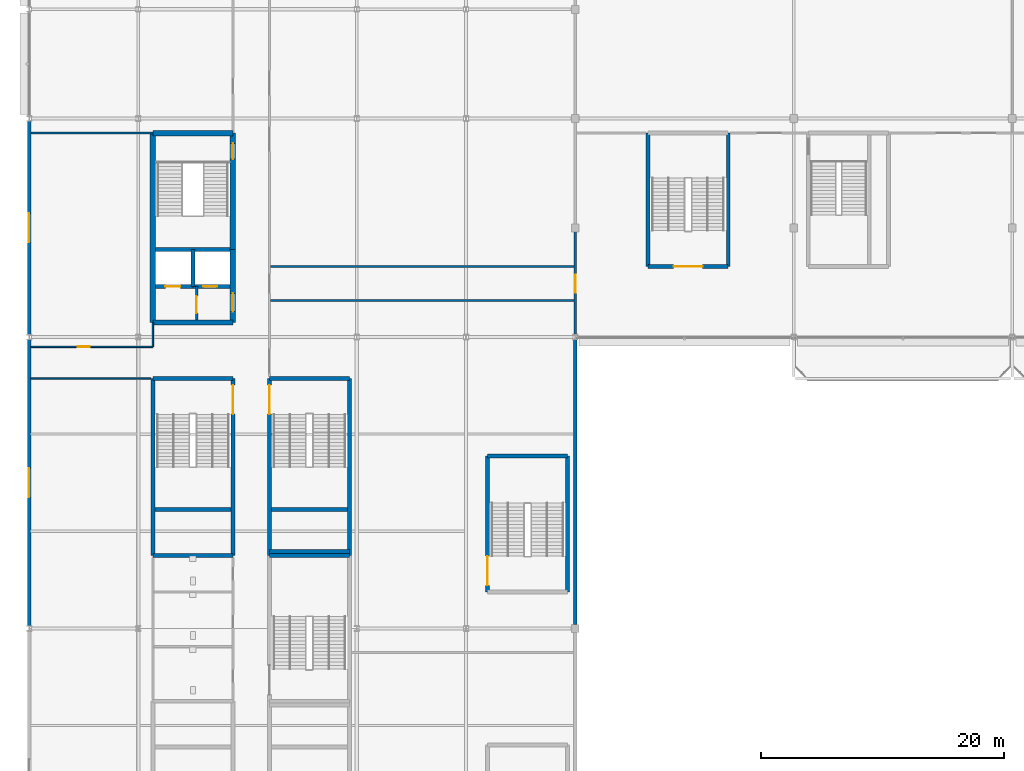
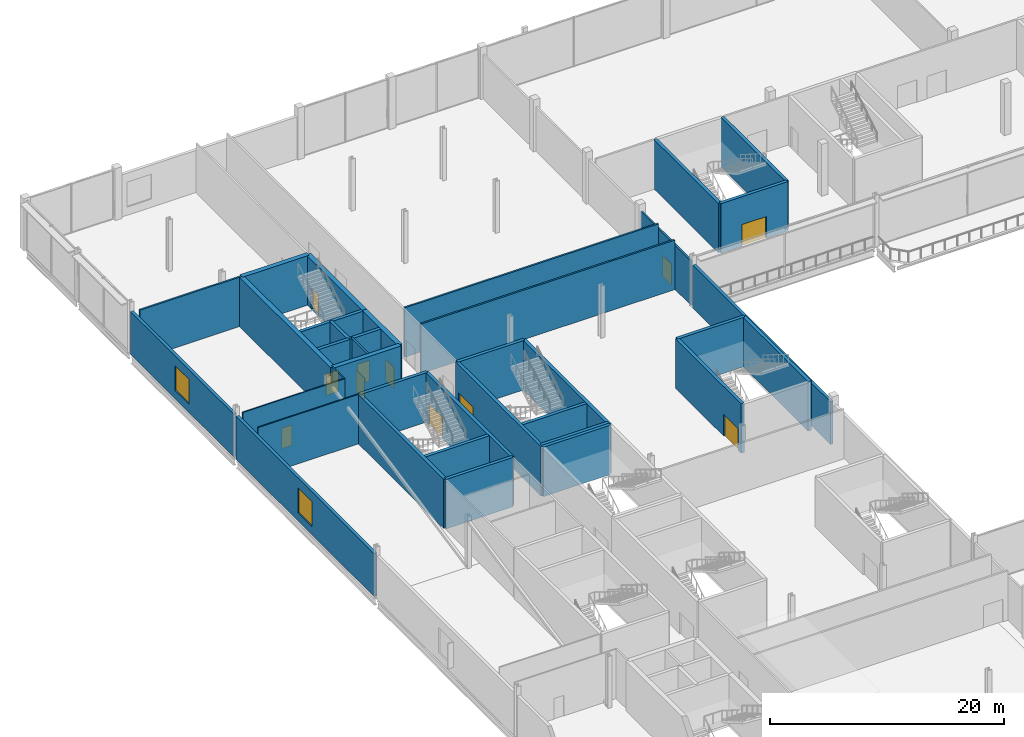
# One storey, part 66 of 113: 37 walls, 11 doors, 2 windows, 13 openings.
"""IFC4 building model written with IfcOpenShell, lengths in metres."""

import ifcopenshell
import ifcopenshell.guid

model = None  # the IFC model being written
_history = None  # IfcOwnerHistory: only IFC2X3 demands one
_inside = {}  # id of a spatial element -> (the spatial element, [elements in it])
_under = {}  # id of a project, library or spatial element -> (it, [spatial elements below it])
_declared = {}  # id of a project -> (the project, [libraries it declares])
_typed = {}  # id of a type object -> (the type object, [elements of that type])
_made_of = {}  # id of a material, layer set ... -> (it, [elements and type objects made of it])


def new_model(schema):
    """Start an empty IFC model of exactly this schema.

    Asked for "IFC4X3", IfcOpenShell would pick the latest addendum, in which some entities
    have other attributes; the version numbers below select the first issue.
    IFC2X3 requires an IfcOwnerHistory on every rooted entity: one is made here for all.
    """
    global model, _history
    if schema == "IFC4X3":
        model = ifcopenshell.file(schema_version=(4, 3, 0, 0))
    else:
        model = ifcopenshell.file(schema=schema)
    _inside.clear()
    _under.clear()
    _declared.clear()
    _typed.clear()
    _made_of.clear()
    _history = None
    if model.schema == "IFC2X3":
        org = make("IfcOrganization", Name="unknown")
        user = make(
            "IfcPersonAndOrganization",
            ThePerson=make("IfcPerson", FamilyName="unknown"),
            TheOrganization=org,
        )
        app = make(
            "IfcApplication",
            ApplicationDeveloper=org,
            Version="unknown",
            ApplicationFullName="unknown",
            ApplicationIdentifier="unknown",
        )
        _history = make(
            "IfcOwnerHistory",
            OwningUser=user,
            OwningApplication=app,
            ChangeAction="ADDED",
            CreationDate=0,
        )
    return model


def make(cls, **values):
    """One entity of the class cls with the attributes given. An attribute that is None is left unset."""
    return model.create_entity(
        cls, **{name: value for name, value in values.items() if value is not None}
    )


def rooted(cls, **values):
    """An entity with a GlobalId (a new one), such as an element, a storey or a relation."""
    return make(cls, GlobalId=ifcopenshell.guid.new(), OwnerHistory=_history, **values)


def si_unit(unit_type, name, prefix=None):
    """IfcSIUnit, for example si_unit("LENGTHUNIT", "METRE", prefix="MILLI")."""
    return make("IfcSIUnit", UnitType=unit_type, Prefix=prefix, Name=name)


def assignment(units):
    """IfcUnitAssignment: the units of a project."""
    return None if units is None else make("IfcUnitAssignment", Units=units)


def point(xyz):
    """IfcCartesianPoint."""
    return None if xyz is None else make("IfcCartesianPoint", Coordinates=xyz)


def direction(xyz):
    """IfcDirection."""
    return None if xyz is None else make("IfcDirection", DirectionRatios=xyz)


def frame(location, z_axis=None, x_axis=None):
    """IfcAxis2Placement3D, a coordinate frame: its origin and axes. An axis left out is left unset."""
    return make(
        "IfcAxis2Placement3D",
        Location=point(location),
        Axis=direction(z_axis),
        RefDirection=direction(x_axis),
    )


def frame_2d(location, x_axis=None):
    """IfcAxis2Placement2D, a coordinate frame in the plane: its origin and x axis."""
    return make(
        "IfcAxis2Placement2D", Location=point(location), RefDirection=direction(x_axis)
    )


def origin():
    """The frame at (0, 0, 0) with its axes left unset."""
    return frame((0.0, 0.0, 0.0))


def place(relative_to, where):
    """IfcLocalPlacement: puts the frame where relative to a parent placement (None: the world)."""
    return make(
        "IfcLocalPlacement", PlacementRelTo=relative_to, RelativePlacement=where
    )


def context(
    kind, dimensions, precision=None, world=None, true_north=None, identifier=None
):
    """IfcGeometricRepresentationContext, for example the 3D "Model" context."""
    return make(
        "IfcGeometricRepresentationContext",
        ContextIdentifier=identifier,
        ContextType=kind,
        CoordinateSpaceDimension=dimensions,
        Precision=precision,
        WorldCoordinateSystem=world,
        TrueNorth=true_north,
    )


def subcontext(parent, identifier, kind, view, scale=None):
    """IfcGeometricRepresentationSubContext, for example "Body" below "Model"."""
    return make(
        "IfcGeometricRepresentationSubContext",
        ContextIdentifier=identifier,
        ContextType=kind,
        ParentContext=parent,
        TargetScale=scale,
        TargetView=view,
    )


def project(units=None, contexts=None):
    """IfcProject with its units and contexts."""
    return rooted(
        "IfcProject",
        Name="project",
        RepresentationContexts=contexts,
        UnitsInContext=assignment(units),
    )


def spatial(cls, under=None, at=None, **own):
    """A site, building, storey or space (cls), placed at a placement, below another one or the project."""
    s = rooted(cls, ObjectPlacement=at, **own)
    if under is not None:
        _under.setdefault(under.id(), (under, []))[1].append(s)
    return s


def profile(cls, at=None, kind="AREA", **sizes):
    """A parametric profile (cls). Its sizes go by their IFC names, for example OverallWidth=200.0."""
    return make(cls, ProfileType=kind, Position=at, **sizes)


def rectangle(**sizes):
    """IfcRectangleProfileDef."""
    return profile("IfcRectangleProfileDef", **sizes)


def extrude(swept, where, along, depth):
    """IfcExtrudedAreaSolid: the profile swept, set in the frame where, extruded along a direction by depth."""
    return make(
        "IfcExtrudedAreaSolid",
        SweptArea=swept,
        Position=where,
        ExtrudedDirection=direction(along),
        Depth=depth,
    )


def shape(context_of_items, identifier, shape_type, items):
    """IfcShapeRepresentation: the items that make up one representation, for example the "Body"."""
    return make(
        "IfcShapeRepresentation",
        ContextOfItems=context_of_items,
        RepresentationIdentifier=identifier,
        RepresentationType=shape_type,
        Items=items,
    )


def material(Name=None, Category=None):
    """IfcMaterial."""
    return make("IfcMaterial", Name=Name, Category=Category)


def layer(
    of_material, thickness, ventilated=None, Name=None, Category=None, Priority=None
):
    """IfcMaterialLayer: one layer of a wall or slab, of a material (None: an air gap)."""
    return make(
        "IfcMaterialLayer",
        Material=of_material,
        LayerThickness=thickness,
        IsVentilated=ventilated,
        Name=Name,
        Category=Category,
        Priority=Priority,
    )


def layer_set(layers, Name=None):
    """IfcMaterialLayerSet."""
    return make("IfcMaterialLayerSet", MaterialLayers=layers, LayerSetName=Name)


def made_of(thing, what):
    """Note that an element or type object is made of a material, layer set ...; save() writes the relation."""
    if what is not None:
        _made_of.setdefault(what.id(), (what, []))[1].append(thing)
    return thing


def type_object(cls, material=None, **own):
    """A type object (cls), such as IfcWallType, which elements share."""
    return made_of(rooted(cls, **own), material)


def element(
    cls,
    number,
    at=None,
    inside=None,
    cuts=None,
    type_object=None,
    material=None,
    context=None,
    identifier="Body",
    shape_type=None,
    held_by="IfcProductDefinitionShape",
    body=None,
    shapes=None,
    **own,
):
    """One element of the class cls, such as IfcWall. Its Tag is "e" and its number.

    at: its placement. inside: the storey or other place that contains it. cuts: it is an
    opening in that element (IfcRelVoidsElement). A single representation is given by context,
    identifier, shape_type and body (its items); several are given by shapes. held_by: the class
    of the entity that holds the representations. save() writes the other relations.
    """
    e = rooted(cls, Tag="e%d" % number, ObjectPlacement=at, **own)
    if body is not None:
        shapes = [shape(context, identifier, shape_type, body)]
    if shapes is not None:
        e.Representation = make(held_by, Representations=shapes)
    if inside is not None:
        _inside.setdefault(inside.id(), (inside, []))[1].append(e)
    if cuts is not None:
        rooted(
            "IfcRelVoidsElement", RelatingBuildingElement=cuts, RelatedOpeningElement=e
        )
    if type_object is not None:
        _typed.setdefault(type_object.id(), (type_object, []))[1].append(e)
    return made_of(e, material)


def fill(opening, filler):
    """IfcRelFillsElement: the door or window that sits in an opening."""
    return rooted(
        "IfcRelFillsElement",
        RelatingOpeningElement=opening,
        RelatedBuildingElement=filler,
    )


def aggregate(whole, parts):
    """IfcRelAggregates: a whole, such as a stair, and the parts it consists of."""
    return rooted("IfcRelAggregates", RelatingObject=whole, RelatedObjects=parts)


def save(model, path):
    """Write the relations noted so far, then the file.

    IfcRelAggregates (storeys below a building ...), IfcRelContainedInSpatialStructure (elements
    in a storey), IfcRelDefinesByType, IfcRelAssociatesMaterial and IfcRelDeclares: one each for
    every whole, place, type object, material and project.
    """
    for whole, parts in _under.values():
        aggregate(whole, parts)
    for where, things in _inside.values():
        rooted(
            "IfcRelContainedInSpatialStructure",
            RelatedElements=things,
            RelatingStructure=where,
        )
    for kind, things in _typed.values():
        rooted("IfcRelDefinesByType", RelatedObjects=things, RelatingType=kind)
    for what, things in _made_of.values():
        rooted("IfcRelAssociatesMaterial", RelatedObjects=things, RelatingMaterial=what)
    for by, libraries in _declared.values():
        rooted("IfcRelDeclares", RelatingContext=by, RelatedDefinitions=libraries)
    model.write(path)


model = new_model("IFC4")

# Units and contexts
model_context = context("Model", 3, precision=1e-05, world=origin(), true_north=direction((0.0, 1.0)))
body_context = subcontext(model_context, "Body", "Model", "MODEL_VIEW")
ifc_project = project(units=[si_unit("LENGTHUNIT", "METRE"), si_unit("AREAUNIT", "SQUARE_METRE"), si_unit("VOLUMEUNIT", "CUBIC_METRE"), si_unit("PLANEANGLEUNIT", "RADIAN"), si_unit("MASSUNIT", "GRAM", prefix="KILO")], contexts=[model_context])

# Site, building, storey
site_placement = place(None, origin())
site = spatial("IfcSite", under=ifc_project, at=site_placement, CompositionType="ELEMENT")
building_placement = place(site_placement, origin())
building = spatial("IfcBuilding", under=site, at=building_placement, Name="Kisiwana Market Hall", CompositionType="ELEMENT")
storey_placement = place(building_placement, frame((0.0, 0.0, 6.0)))
storey = spatial("IfcBuildingStorey", under=building, at=storey_placement, Name="L01", CompositionType="ELEMENT", Elevation=6.0)

# Wall, opening, door
ifc_material_1 = material(Name="Masonry blockwork", Category="masonry")
ifc_layer_1 = layer(ifc_material_1, 0.199951171875, Name="Plastered fire compartment block wall")
ifc_layer_set_1 = layer_set([ifc_layer_1], Name="WL-COMP-200")
wall_type_1 = type_object("IfcWallType", Name="WL-COMP-200", PredefinedType="PARTITIONING", material=ifc_layer_set_1)
wall_1_placement = place(storey_placement, frame((13.800048828125, 85.425048828125, 0.0), z_axis=(0.0, 0.0, 1.0), x_axis=(0.0, 1.0, 0.0)))
wall_1 = element("IfcWall", 1, at=wall_1_placement, inside=storey, type_object=wall_type_1, Name="Core W1 firefighting lobby wall W-0843", PredefinedType="PARTITIONING", context=body_context, shape_type="SweptSolid", body=[
    extrude(rectangle(XDim=2.72998046875, YDim=0.199951171875, at=frame_2d((1.364990234375, 0.0))), origin(), (0.0, 0.0, 1.0), 5.14990234375),
])
opening_1_placement = place(wall_1_placement, frame((0.550048828125, 0.0, 0.0)))
opening_1 = element("IfcOpeningElement", 2, at=opening_1_placement, cuts=wall_1, Name="Opening DR-L01-006", PredefinedType="OPENING", context=body_context, shape_type="SweptSolid", body=[
    extrude(rectangle(XDim=1.39990234375, YDim=2.25, at=frame_2d((0.699951171875, 1.125))), frame((0.0, 0.11181640625, 0.0), z_axis=(0.0, -1.0, 0.0), x_axis=(1.0, 0.0, 0.0)), (0.0, 0.0, 1.0), 0.223876953125),
])
ifc_material_2 = material(Name="Steel S275", Category="steel")
door_type_1 = type_object("IfcDoorType", Name="DR-FFLOB-FD120-1400", OperationType="DOUBLE_DOOR_SINGLE_SWING", PredefinedType="DOOR", material=ifc_material_2)
door_1_placement = place(opening_1_placement, frame((1.39990234375, 0.0, 0.0), z_axis=(0.0, 0.0, 1.0), x_axis=(-1.0, 0.0, 0.0)))
door_1 = element("IfcDoor", 3, at=door_1_placement, inside=storey, type_object=door_type_1, Name="Firefighting Lift Lobby W1 Door (L01)", OperationType="DOUBLE_DOOR_SINGLE_SWING", OverallHeight=2.25, OverallWidth=1.39990234375, PredefinedType="DOOR", context=body_context, shape_type="SweptSolid", body=[
    extrude(rectangle(XDim=1.39990234375, YDim=2.25, at=frame_2d((0.699951171875, 1.125))), frame((0.0, 0.02490234375, 0.0), z_axis=(0.0, -1.0, 0.0), x_axis=(1.0, 0.0, 0.0)), (0.0, 0.0, 1.0), 0.050048828125),
])
fill(opening_1, door_1)

# Walls
ifc_material_3 = material(Name="Concrete C40/50", Category="concrete")
ifc_layer_2 = layer(ifc_material_3, 0.320068359375, Name="Reinforced concrete shaft wall")
ifc_layer_set_2 = layer_set([ifc_layer_2], Name="WL-CORE-320")
wall_type_2 = type_object("IfcWallType", Name="WL-CORE-320", PredefinedType="SHEAR", material=ifc_layer_set_2)
wall_2_placement = place(storey_placement, frame((10.425048828125, 91.215087890625, 0.0), z_axis=(0.0, 0.0, 1.0), x_axis=(1.0, 0.0, 0.0)))
element("IfcWall", 4, at=wall_2_placement, inside=storey, type_object=wall_type_2, Name="Core W1 shaft back shear wall W-0686", PredefinedType="SHEAR", context=body_context, shape_type="SweptSolid", body=[
    extrude(rectangle(XDim=6.14990234375, YDim=0.320068359375, at=frame_2d((3.074951171875, 0.0))), origin(), (0.0, 0.0, 1.0), 5.14990234375),
])
wall_3_placement = place(storey_placement, frame((13.5, 88.155029296875, 0.0), z_axis=(0.0, 0.0, 1.0), x_axis=(0.0, 1.0, 0.0)))
element("IfcWall", 5, at=wall_3_placement, inside=storey, type_object=wall_type_2, Name="Core W1 inter-shaft shear wall W-0687", PredefinedType="SHEAR", context=body_context, shape_type="SweptSolid", body=[
    extrude(rectangle(XDim=3.06005859375, YDim=0.320068359375, at=frame_2d((1.530029296875, 0.0))), origin(), (0.0, 0.0, 1.0), 5.14990234375),
])

# Wall, opening, door
wall_4_placement = place(storey_placement, frame((10.425048828125, 88.155029296875, 0.0), z_axis=(0.0, 0.0, 1.0), x_axis=(1.0, 0.0, 0.0)))
wall_4 = element("IfcWall", 6, at=wall_4_placement, inside=storey, type_object=wall_type_2, Name="Core W1 west lift front wall W-0688", PredefinedType="SHEAR", context=body_context, shape_type="SweptSolid", body=[
    extrude(rectangle(XDim=3.074951171875, YDim=0.320068359375, at=frame_2d((1.53759765625, 0.0))), origin(), (0.0, 0.0, 1.0), 5.14990234375),
])
opening_2_placement = place(wall_4_placement, frame((0.800048828125, 0.0, 0.0)))
opening_2 = element("IfcOpeningElement", 7, at=opening_2_placement, cuts=wall_4, Name="Opening LD-L01-003", PredefinedType="OPENING", context=body_context, shape_type="SweptSolid", body=[
    extrude(rectangle(XDim=1.25, YDim=2.25, at=frame_2d((0.625, 1.125))), frame((0.0, 0.171875, 0.0), z_axis=(0.0, -1.0, 0.0), x_axis=(1.0, 0.0, 0.0)), (0.0, 0.0, 1.0), 0.343994140625),
])
ifc_material_4 = material(Name="Steel S275", Category="steel")
door_type_2 = type_object("IfcDoorType", Name="DR-LIFT-FFL-1250", OperationType="DOUBLE_DOOR_SLIDING", PredefinedType="DOOR", material=ifc_material_4)
door_2_placement = place(opening_2_placement, origin())
door_2 = element("IfcDoor", 8, at=door_2_placement, inside=storey, type_object=door_type_2, Name="Lift Landing Door FFL-02 (L01)", OperationType="DOUBLE_DOOR_SLIDING", OverallHeight=2.25, OverallWidth=1.25, PredefinedType="DOOR", context=body_context, shape_type="SweptSolid", body=[
    extrude(rectangle(XDim=1.25, YDim=2.25, at=frame_2d((0.625, 1.125))), frame((0.0, 0.02490234375, 0.0), z_axis=(0.0, -1.0, 0.0), x_axis=(1.0, 0.0, 0.0)), (0.0, 0.0, 1.0), 0.050048828125),
])
fill(opening_2, door_2)

wall_5_placement = place(storey_placement, frame((13.5, 88.155029296875, 0.0), z_axis=(0.0, 0.0, 1.0), x_axis=(1.0, 0.0, 0.0)))
wall_5 = element("IfcWall", 9, at=wall_5_placement, inside=storey, type_object=wall_type_2, Name="Core W1 east lift front wall W-0689", PredefinedType="SHEAR", context=body_context, shape_type="SweptSolid", body=[
    extrude(rectangle(XDim=3.074951171875, YDim=0.320068359375, at=frame_2d((1.53759765625, 0.0))), origin(), (0.0, 0.0, 1.0), 5.14990234375),
])
opening_3_placement = place(wall_5_placement, frame((0.85009765625, 0.0, 0.0)))
opening_3 = element("IfcOpeningElement", 10, at=opening_3_placement, cuts=wall_5, Name="Opening LD-L01-004", PredefinedType="OPENING", context=body_context, shape_type="SweptSolid", body=[
    extrude(rectangle(XDim=1.14990234375, YDim=2.199951171875, at=frame_2d((0.574951171875, 1.10009765625))), frame((0.0, 0.171875, 0.0), z_axis=(0.0, -1.0, 0.0), x_axis=(1.0, 0.0, 0.0)), (0.0, 0.0, 1.0), 0.343994140625),
])
ifc_material_5 = material(Name="Steel S275", Category="steel")
door_type_3 = type_object("IfcDoorType", Name="DR-LIFT-PAX-1150", OperationType="DOUBLE_DOOR_SLIDING", PredefinedType="DOOR", material=ifc_material_5)
door_3_placement = place(opening_3_placement, origin())
door_3 = element("IfcDoor", 11, at=door_3_placement, inside=storey, type_object=door_type_3, Name="Lift Landing Door LP-02 (L01)", OperationType="DOUBLE_DOOR_SLIDING", OverallHeight=2.199951171875, OverallWidth=1.14990234375, PredefinedType="DOOR", context=body_context, shape_type="SweptSolid", body=[
    extrude(rectangle(XDim=1.14990234375, YDim=2.199951171875, at=frame_2d((0.574951171875, 1.10009765625))), frame((0.0, 0.02490234375, 0.0), z_axis=(0.0, -1.0, 0.0), x_axis=(1.0, 0.0, 0.0)), (0.0, 0.0, 1.0), 0.050048828125),
])
fill(opening_3, door_3)

# Walls
for number, where, z_axis, x_axis, name in (
    (12, (10.199951171875, 66.0, 0.0), (0.0, 0.0, 1.0), (1.0, 0.0, 0.0), "Core W4 south shear wall W-0735"),
    (13, (10.199951171875, 80.60009765625, 0.0), (0.0, 0.0, 1.0), (1.0, 0.0, 0.0), "Core W4 north shear wall W-0736"),
):
    element("IfcWall", number, at=place(storey_placement, frame(where, z_axis=z_axis, x_axis=x_axis)), inside=storey, type_object=wall_type_2, Name=name, PredefinedType="SHEAR", context=body_context, shape_type="SweptSolid", body=[
        extrude(rectangle(XDim=6.60009765625, YDim=0.320068359375, at=frame_2d((3.300048828125, 0.0))), origin(), (0.0, 0.0, 1.0), 5.14990234375),
    ])
wall_6_placement = place(storey_placement, frame((10.199951171875, 66.0, 0.0), z_axis=(0.0, 0.0, 1.0), x_axis=(0.0, 1.0, 0.0)))
element("IfcWall", 14, at=wall_6_placement, inside=storey, type_object=wall_type_2, Name="Core W4 outer shear wall W-0737", PredefinedType="SHEAR", context=body_context, shape_type="SweptSolid", body=[
    extrude(rectangle(XDim=14.60009765625, YDim=0.320068359375, at=frame_2d((7.300048828125, 0.0))), origin(), (0.0, 0.0, 1.0), 5.14990234375),
])

# Wall, opening, door
wall_7_placement = place(storey_placement, frame((16.800048828125, 66.0, 0.0), z_axis=(0.0, 0.0, 1.0), x_axis=(0.0, 1.0, 0.0)))
wall_7 = element("IfcWall", 15, at=wall_7_placement, inside=storey, type_object=wall_type_2, Name="Core W4 corridor shear wall W-0738", PredefinedType="SHEAR", context=body_context, shape_type="SweptSolid", body=[
    extrude(rectangle(XDim=14.60009765625, YDim=0.320068359375, at=frame_2d((7.300048828125, 0.0))), origin(), (0.0, 0.0, 1.0), 5.14990234375),
])
opening_4_placement = place(wall_7_placement, frame((11.64990234375, 0.0, 0.0)))
opening_4 = element("IfcOpeningElement", 16, at=opening_4_placement, cuts=wall_7, Name="Opening DR-L01-020", PredefinedType="OPENING", context=body_context, shape_type="SweptSolid", body=[
    extrude(rectangle(XDim=2.39990234375, YDim=2.25, at=frame_2d((1.199951171875, 1.125))), frame((0.0, 0.171875, 0.0), z_axis=(0.0, -1.0, 0.0), x_axis=(1.0, 0.0, 0.0)), (0.0, 0.0, 1.0), 0.343994140625),
])
ifc_material_6 = material(Name="Steel S275", Category="steel")
door_type_4 = type_object("IfcDoorType", Name="DR-STAIR-FD120-2400", OperationType="DOUBLE_DOOR_SINGLE_SWING", PredefinedType="DOOR", material=ifc_material_6)
door_4_placement = place(opening_4_placement, origin())
door_4 = element("IfcDoor", 17, at=door_4_placement, inside=storey, type_object=door_type_4, Name="Escape Stair W4 Fire Door (L01)", OperationType="DOUBLE_DOOR_SINGLE_SWING", OverallHeight=2.25, OverallWidth=2.39990234375, PredefinedType="DOOR", context=body_context, shape_type="SweptSolid", body=[
    extrude(rectangle(XDim=2.39990234375, YDim=2.25, at=frame_2d((1.199951171875, 1.125))), frame((0.0, 0.02490234375, 0.0), z_axis=(0.0, -1.0, 0.0), x_axis=(1.0, 0.0, 0.0)), (0.0, 0.0, 1.0), 0.050048828125),
])
fill(opening_4, door_4)

# Walls
wall_8_placement = place(storey_placement, frame((10.360107421875, 69.780029296875, 0.0), z_axis=(0.0, 0.0, 1.0), x_axis=(1.0, 0.0, 0.0)))
element("IfcWall", 18, at=wall_8_placement, inside=storey, type_object=wall_type_2, Name="Core W4 riser divider shear wall W-0739", PredefinedType="SHEAR", context=body_context, shape_type="SweptSolid", body=[
    extrude(rectangle(XDim=6.27978515625, YDim=0.320068359375, at=frame_2d((3.139892578125, 0.0))), origin(), (0.0, 0.0, 1.0), 5.14990234375),
])
for number, where, z_axis, x_axis, name in (
    (19, (19.800048828125, 66.0, 0.0), (0.0, 0.0, 1.0), (1.0, 0.0, 0.0), "Core W8 south shear wall W-0760"),
    (20, (19.800048828125, 80.60009765625, 0.0), (0.0, 0.0, 1.0), (1.0, 0.0, 0.0), "Core W8 north shear wall W-0761"),
):
    element("IfcWall", number, at=place(storey_placement, frame(where, z_axis=z_axis, x_axis=x_axis)), inside=storey, type_object=wall_type_2, Name=name, PredefinedType="SHEAR", context=body_context, shape_type="SweptSolid", body=[
        extrude(rectangle(XDim=6.599853515625, YDim=0.320068359375, at=frame_2d((3.2998046875, 0.0))), origin(), (0.0, 0.0, 1.0), 5.14990234375),
    ])

# Wall, opening, door
wall_9_placement = place(storey_placement, frame((19.800048828125, 66.0, 0.0), z_axis=(0.0, 0.0, 1.0), x_axis=(0.0, 1.0, 0.0)))
wall_9 = element("IfcWall", 21, at=wall_9_placement, inside=storey, type_object=wall_type_2, Name="Core W8 corridor shear wall W-0762", PredefinedType="SHEAR", context=body_context, shape_type="SweptSolid", body=[
    extrude(rectangle(XDim=14.60009765625, YDim=0.320068359375, at=frame_2d((7.300048828125, 0.0))), origin(), (0.0, 0.0, 1.0), 5.14990234375),
])
opening_5_placement = place(wall_9_placement, frame((11.64990234375, 0.0, 0.0)))
opening_5 = element("IfcOpeningElement", 22, at=opening_5_placement, cuts=wall_9, Name="Opening DR-L01-025", PredefinedType="OPENING", context=body_context, shape_type="SweptSolid", body=[
    extrude(rectangle(XDim=2.39990234375, YDim=2.25, at=frame_2d((1.199951171875, 1.125))), frame((0.0, 0.171875, 0.0), z_axis=(0.0, -1.0, 0.0), x_axis=(1.0, 0.0, 0.0)), (0.0, 0.0, 1.0), 0.343994140625),
])
door_5_placement = place(opening_5_placement, frame((2.39990234375, 0.0, 0.0), z_axis=(0.0, 0.0, 1.0), x_axis=(-1.0, 0.0, 0.0)))
door_5 = element("IfcDoor", 23, at=door_5_placement, inside=storey, type_object=door_type_4, Name="Escape Stair W8 Fire Door (L01)", OperationType="DOUBLE_DOOR_SINGLE_SWING", OverallHeight=2.25, OverallWidth=2.39990234375, PredefinedType="DOOR", context=body_context, shape_type="SweptSolid", body=[
    extrude(rectangle(XDim=2.39990234375, YDim=2.25, at=frame_2d((1.199951171875, 1.125))), frame((0.0, 0.02490234375, 0.0), z_axis=(0.0, -1.0, 0.0), x_axis=(1.0, 0.0, 0.0)), (0.0, 0.0, 1.0), 0.050048828125),
])
fill(opening_5, door_5)

# Walls
wall_10_placement = place(storey_placement, frame((26.39990234375, 66.0, 0.0), z_axis=(0.0, 0.0, 1.0), x_axis=(0.0, 1.0, 0.0)))
element("IfcWall", 24, at=wall_10_placement, inside=storey, type_object=wall_type_2, Name="Core W8 outer shear wall W-0763", PredefinedType="SHEAR", context=body_context, shape_type="SweptSolid", body=[
    extrude(rectangle(XDim=14.60009765625, YDim=0.320068359375, at=frame_2d((7.300048828125, 0.0))), origin(), (0.0, 0.0, 1.0), 5.14990234375),
])
wall_11_placement = place(storey_placement, frame((19.9599609375, 69.780029296875, 0.0), z_axis=(0.0, 0.0, 1.0), x_axis=(1.0, 0.0, 0.0)))
element("IfcWall", 25, at=wall_11_placement, inside=storey, type_object=wall_type_2, Name="Core W8 riser divider shear wall W-0764", PredefinedType="SHEAR", context=body_context, shape_type="SweptSolid", body=[
    extrude(rectangle(XDim=6.280029296875, YDim=0.320068359375, at=frame_2d((3.14013671875, 0.0))), origin(), (0.0, 0.0, 1.0), 5.14990234375),
])
wall_12_placement = place(storey_placement, frame((37.77001953125, 74.199951171875, 0.0), z_axis=(0.0, 0.0, 1.0), x_axis=(1.0, 0.0, 0.0)))
element("IfcWall", 26, at=wall_12_placement, inside=storey, type_object=wall_type_2, Name="Core W10 north shear wall W-0779", PredefinedType="SHEAR", context=body_context, shape_type="SweptSolid", body=[
    extrude(rectangle(XDim=6.60009765625, YDim=0.320068359375, at=frame_2d((3.300048828125, 0.0))), origin(), (0.0, 0.0, 1.0), 5.14990234375),
])

# Wall, opening, door
wall_13_placement = place(storey_placement, frame((37.77001953125, 63.0, 0.0), z_axis=(0.0, 0.0, 1.0), x_axis=(0.0, 1.0, 0.0)))
wall_13 = element("IfcWall", 27, at=wall_13_placement, inside=storey, type_object=wall_type_2, Name="Core W10 corridor shear wall W-0780", PredefinedType="SHEAR", context=body_context, shape_type="SweptSolid", body=[
    extrude(rectangle(XDim=11.199951171875, YDim=0.320068359375, at=frame_2d((5.60009765625, 0.0))), origin(), (0.0, 0.0, 1.0), 5.14990234375),
])
opening_6_placement = place(wall_13_placement, frame((0.550048828125, 0.0, 0.0)))
opening_6 = element("IfcOpeningElement", 28, at=opening_6_placement, cuts=wall_13, Name="Opening DR-L01-029", PredefinedType="OPENING", context=body_context, shape_type="SweptSolid", body=[
    extrude(rectangle(XDim=2.39990234375, YDim=2.25, at=frame_2d((1.199951171875, 1.125))), frame((0.0, 0.171875, 0.0), z_axis=(0.0, -1.0, 0.0), x_axis=(1.0, 0.0, 0.0)), (0.0, 0.0, 1.0), 0.343994140625),
])
door_6_placement = place(opening_6_placement, frame((2.39990234375, 0.0, 0.0), z_axis=(0.0, 0.0, 1.0), x_axis=(-1.0, 0.0, 0.0)))
door_6 = element("IfcDoor", 29, at=door_6_placement, inside=storey, type_object=door_type_4, Name="Escape Stair W10 Fire Door (L01)", OperationType="DOUBLE_DOOR_SINGLE_SWING", OverallHeight=2.25, OverallWidth=2.39990234375, PredefinedType="DOOR", context=body_context, shape_type="SweptSolid", body=[
    extrude(rectangle(XDim=2.39990234375, YDim=2.25, at=frame_2d((1.199951171875, 1.125))), frame((0.0, 0.02490234375, 0.0), z_axis=(0.0, -1.0, 0.0), x_axis=(1.0, 0.0, 0.0)), (0.0, 0.0, 1.0), 0.050048828125),
])
fill(opening_6, door_6)

# Walls
wall_14_placement = place(storey_placement, frame((44.3701171875, 63.0, 0.0), z_axis=(0.0, 0.0, 1.0), x_axis=(0.0, 1.0, 0.0)))
element("IfcWall", 30, at=wall_14_placement, inside=storey, type_object=wall_type_2, Name="Core W10 outer shear wall W-0781", PredefinedType="SHEAR", context=body_context, shape_type="SweptSolid", body=[
    extrude(rectangle(XDim=11.199951171875, YDim=0.320068359375, at=frame_2d((5.60009765625, 0.0))), origin(), (0.0, 0.0, 1.0), 5.14990234375),
])
wall_15_placement = place(storey_placement, frame((19.800048828125, 66.320068359375, 0.0), z_axis=(0.0, 0.0, 1.0), x_axis=(1.0, 0.0, 0.0)))
element("IfcWall", 31, at=wall_15_placement, inside=storey, type_object=wall_type_2, Name="Core W5 north shear wall W-0787", PredefinedType="SHEAR", context=body_context, shape_type="SweptSolid", body=[
    extrude(rectangle(XDim=6.599853515625, YDim=0.320068359375, at=frame_2d((3.2998046875, 0.0))), origin(), (0.0, 0.0, 1.0), 5.14990234375),
])

# Wall, opening, door
wall_16_placement = place(storey_placement, frame((51.0, 89.800048828125, 0.0), z_axis=(0.0, 0.0, 1.0), x_axis=(1.0, 0.0, 0.0)))
wall_16 = element("IfcWall", 32, at=wall_16_placement, inside=storey, type_object=wall_type_2, Name="Core N3 corridor shear wall W-0798", PredefinedType="SHEAR", context=body_context, shape_type="SweptSolid", body=[
    extrude(rectangle(XDim=6.60009765625, YDim=0.320068359375, at=frame_2d((3.300048828125, 0.0))), origin(), (0.0, 0.0, 1.0), 5.14990234375),
])
opening_7_placement = place(wall_16_placement, frame((2.10009765625, 0.0, 0.0)))
opening_7 = element("IfcOpeningElement", 33, at=opening_7_placement, cuts=wall_16, Name="Opening DR-L01-034", PredefinedType="OPENING", context=body_context, shape_type="SweptSolid", body=[
    extrude(rectangle(XDim=2.39990234375, YDim=2.25, at=frame_2d((1.199951171875, 1.125))), frame((0.0, 0.171875, 0.0), z_axis=(0.0, -1.0, 0.0), x_axis=(1.0, 0.0, 0.0)), (0.0, 0.0, 1.0), 0.343994140625),
])
door_7_placement = place(opening_7_placement, origin())
door_7 = element("IfcDoor", 34, at=door_7_placement, inside=storey, type_object=door_type_4, Name="Escape Stair N3 Fire Door (L01)", OperationType="DOUBLE_DOOR_SINGLE_SWING", OverallHeight=2.25, OverallWidth=2.39990234375, PredefinedType="DOOR", context=body_context, shape_type="SweptSolid", body=[
    extrude(rectangle(XDim=2.39990234375, YDim=2.25, at=frame_2d((1.199951171875, 1.125))), frame((0.0, 0.02490234375, 0.0), z_axis=(0.0, -1.0, 0.0), x_axis=(1.0, 0.0, 0.0)), (0.0, 0.0, 1.0), 0.050048828125),
])
fill(opening_7, door_7)

# Walls
for number, where, z_axis, x_axis, name in (
    (35, (51.0, 89.800048828125, 0.0), (0.0, 0.0, 1.0), (0.0, 1.0, 0.0), "Core N3 west shear wall W-0800"),
    (36, (57.60009765625, 89.800048828125, 0.0), (0.0, 0.0, 1.0), (0.0, 1.0, 0.0), "Core N3 east shear wall W-0801"),
):
    element("IfcWall", number, at=place(storey_placement, frame(where, z_axis=z_axis, x_axis=x_axis)), inside=storey, type_object=wall_type_2, Name=name, PredefinedType="SHEAR", context=body_context, shape_type="SweptSolid", body=[
        extrude(rectangle(XDim=11.0, YDim=0.320068359375, at=frame_2d((5.5, 0.0))), origin(), (0.0, 0.0, 1.0), 5.14990234375),
    ])
ifc_material_7 = material(Name="Concrete C40/50", Category="concrete")
ifc_layer_3 = layer(ifc_material_7, 0.449951171875, Name="Reinforced concrete core wall")
ifc_layer_set_3 = layer_set([ifc_layer_3], Name="WL-CORE-450")
wall_type_3 = type_object("IfcWallType", Name="WL-CORE-450", PredefinedType="SHEAR", material=ifc_layer_set_3)
for number, where, z_axis, x_axis, name in (
    (37, (10.199951171875, 85.199951171875, 0.0), (0.0, 0.0, 1.0), (1.0, 0.0, 0.0), "Core W1 south shear wall W-0681"),
    (38, (10.199951171875, 100.800048828125, 0.0), (0.0, 0.0, 1.0), (1.0, 0.0, 0.0), "Core W1 north shear wall W-0682"),
):
    element("IfcWall", number, at=place(storey_placement, frame(where, z_axis=z_axis, x_axis=x_axis)), inside=storey, type_object=wall_type_3, Name=name, PredefinedType="SHEAR", context=body_context, shape_type="SweptSolid", body=[
        extrude(rectangle(XDim=6.60009765625, YDim=0.449951171875, at=frame_2d((3.300048828125, 0.0))), origin(), (0.0, 0.0, 1.0), 5.14990234375),
    ])
wall_17_placement = place(storey_placement, frame((10.199951171875, 85.199951171875, 0.0), z_axis=(0.0, 0.0, 1.0), x_axis=(0.0, 1.0, 0.0)))
element("IfcWall", 39, at=wall_17_placement, inside=storey, type_object=wall_type_3, Name="Core W1 outer shear wall W-0683", PredefinedType="SHEAR", context=body_context, shape_type="SweptSolid", body=[
    extrude(rectangle(XDim=15.60009765625, YDim=0.449951171875, at=frame_2d((7.800048828125, 0.0))), origin(), (0.0, 0.0, 1.0), 5.14990234375),
])

# Wall, opening, door
wall_18_placement = place(storey_placement, frame((16.800048828125, 85.199951171875, 0.0), z_axis=(0.0, 0.0, 1.0), x_axis=(0.0, 1.0, 0.0)))
wall_18 = element("IfcWall", 40, at=wall_18_placement, inside=storey, type_object=wall_type_3, Name="Core W1 lobby corridor shear wall W-0684", PredefinedType="SHEAR", context=body_context, shape_type="SweptSolid", body=[
    extrude(rectangle(XDim=6.01513671875, YDim=0.449951171875, at=frame_2d((3.007568359375, 0.0))), origin(), (0.0, 0.0, 1.0), 5.14990234375),
])
opening_8_placement = place(wall_18_placement, frame((0.89990234375, 0.0, 0.0)))
opening_8 = element("IfcOpeningElement", 41, at=opening_8_placement, cuts=wall_18, Name="Opening DR-L01-004", PredefinedType="OPENING", context=body_context, shape_type="SweptSolid", body=[
    extrude(rectangle(XDim=1.5, YDim=2.199951171875, at=frame_2d((0.75, 1.10009765625))), frame((0.0, 0.23681640625, 0.0), z_axis=(0.0, -1.0, 0.0), x_axis=(1.0, 0.0, 0.0)), (0.0, 0.0, 1.0), 0.473876953125),
])
ifc_material_8 = material(Name="Steel S275", Category="steel")
door_type_5 = type_object("IfcDoorType", Name="DR-CORR-FD60-1500", OperationType="DOUBLE_DOOR_SINGLE_SWING", PredefinedType="DOOR", material=ifc_material_8)
door_8_placement = place(opening_8_placement, frame((1.5, 0.0, 0.0), z_axis=(0.0, 0.0, 1.0), x_axis=(-1.0, 0.0, 0.0)))
door_8 = element("IfcDoor", 42, at=door_8_placement, inside=storey, type_object=door_type_5, Name="Passenger Lift Lobby W1 Smoke Door (L01)", OperationType="DOUBLE_DOOR_SINGLE_SWING", OverallHeight=2.199951171875, OverallWidth=1.5, PredefinedType="DOOR", context=body_context, shape_type="SweptSolid", body=[
    extrude(rectangle(XDim=1.5, YDim=2.199951171875, at=frame_2d((0.75, 1.10009765625))), frame((0.0, 0.02490234375, 0.0), z_axis=(0.0, -1.0, 0.0), x_axis=(1.0, 0.0, 0.0)), (0.0, 0.0, 1.0), 0.050048828125),
])
fill(opening_8, door_8)

wall_19_placement = place(storey_placement, frame((16.800048828125, 91.215087890625, 0.0), z_axis=(0.0, 0.0, 1.0), x_axis=(0.0, 1.0, 0.0)))
wall_19 = element("IfcWall", 43, at=wall_19_placement, inside=storey, type_object=wall_type_3, Name="Core W1 stair corridor shear wall W-0685", PredefinedType="SHEAR", context=body_context, shape_type="SweptSolid", body=[
    extrude(rectangle(XDim=9.5849609375, YDim=0.449951171875, at=frame_2d((4.79248046875, 0.0))), origin(), (0.0, 0.0, 1.0), 5.14990234375),
])
opening_9_placement = place(wall_19_placement, frame((7.43505859375, 0.0, 0.0)))
opening_9 = element("IfcOpeningElement", 44, at=opening_9_placement, cuts=wall_19, Name="Opening DR-L01-005", PredefinedType="OPENING", context=body_context, shape_type="SweptSolid", body=[
    extrude(rectangle(XDim=1.300048828125, YDim=2.199951171875, at=frame_2d((0.64990234375, 1.10009765625))), frame((0.0, 0.23681640625, 0.0), z_axis=(0.0, -1.0, 0.0), x_axis=(1.0, 0.0, 0.0)), (0.0, 0.0, 1.0), 0.473876953125),
])
ifc_material_9 = material(Name="Steel S275", Category="steel")
door_type_6 = type_object("IfcDoorType", Name="DR-STAIR-FD120-1300", OperationType="NOTDEFINED", PredefinedType="DOOR", material=ifc_material_9)
door_9_placement = place(opening_9_placement, origin())
door_9 = element("IfcDoor", 45, at=door_9_placement, inside=storey, type_object=door_type_6, Name="Escape Stair W1 Fire Door (L01)", OperationType="SINGLE_SWING_RIGHT", OverallHeight=2.199951171875, OverallWidth=1.300048828125, PredefinedType="DOOR", context=body_context, shape_type="SweptSolid", body=[
    extrude(rectangle(XDim=1.300048828125, YDim=2.199951171875, at=frame_2d((0.64990234375, 1.10009765625))), frame((0.0, 0.02490234375, 0.0), z_axis=(0.0, -1.0, 0.0), x_axis=(1.0, 0.0, 0.0)), (0.0, 0.0, 1.0), 0.050048828125),
])
fill(opening_9, door_9)

# Walls
ifc_material_10 = material(Name="Masonry blockwork", Category="masonry")
ifc_layer_4 = layer(ifc_material_10, 0.169921875, Name="Protected corridor partition")
ifc_layer_set_4 = layer_set([ifc_layer_4], Name="WL-CORR-170")
wall_type_4 = type_object("IfcWallType", Name="WL-CORR-170", PredefinedType="PARTITIONING", material=ifc_layer_set_4)
wall_20_placement = place(storey_placement, frame((0.157470703125, 100.800048828125, 0.0), z_axis=(0.0, 0.0, 1.0), x_axis=(1.0, 0.0, 0.0)))
element("IfcWall", 46, at=wall_20_placement, inside=storey, type_object=wall_type_4, Name="Interior partition W-0853", PredefinedType="PARTITIONING", context=body_context, shape_type="SweptSolid", body=[
    extrude(rectangle(XDim=10.04248046875, YDim=0.169921875, at=frame_2d((5.021240234375, 0.0))), origin(), (0.0, 0.0, 1.0), 5.14990234375),
])
for number, where, z_axis, x_axis, name in (
    (47, (19.885009765625, 87.0, 0.0), (0.0, 0.0, 1.0), (1.0, 0.0, 0.0), "Interior partition W-0863"),
    (48, (19.885009765625, 89.800048828125, 0.0), (0.0, 0.0, 1.0), (1.0, 0.0, 0.0), "Interior partition W-0864"),
):
    element("IfcWall", number, at=place(storey_placement, frame(where, z_axis=z_axis, x_axis=x_axis)), inside=storey, type_object=wall_type_4, Name=name, PredefinedType="PARTITIONING", context=body_context, shape_type="SweptSolid", body=[
        extrude(rectangle(XDim=25.030029296875, YDim=0.169921875, at=frame_2d((12.51513671875, 0.0))), origin(), (0.0, 0.0, 1.0), 5.14990234375),
    ])

# Wall, opening, door
wall_21_placement = place(storey_placement, frame((45.0, 84.219970703125, 0.0), z_axis=(0.0, 0.0, 1.0), x_axis=(0.0, 1.0, 0.0)))
wall_21 = element("IfcWall", 49, at=wall_21_placement, inside=storey, type_object=wall_type_4, Name="Interior partition W-0870", PredefinedType="PARTITIONING", context=body_context, shape_type="SweptSolid", body=[
    extrude(rectangle(XDim=8.56005859375, YDim=0.169921875, at=frame_2d((4.280029296875, 0.0))), origin(), (0.0, 0.0, 1.0), 4.616943359375),
])
opening_10_placement = place(wall_21_placement, frame((3.429931640625, 0.0, 0.0)))
opening_10 = element("IfcOpeningElement", 50, at=opening_10_placement, cuts=wall_21, Name="Opening DR-L01-058", PredefinedType="OPENING", context=body_context, shape_type="SweptSolid", body=[
    extrude(rectangle(XDim=1.5, YDim=2.199951171875, at=frame_2d((0.75, 1.10009765625))), frame((0.0, 0.096923828125, 0.0), z_axis=(0.0, -1.0, 0.0), x_axis=(1.0, 0.0, 0.0)), (0.0, 0.0, 1.0), 0.19384765625),
])
door_10_placement = place(opening_10_placement, origin())
door_10 = element("IfcDoor", 51, at=door_10_placement, inside=storey, type_object=door_type_5, Name="L01 W North Spine Link Door", OperationType="DOUBLE_DOOR_SINGLE_SWING", OverallHeight=2.199951171875, OverallWidth=1.5, PredefinedType="DOOR", context=body_context, shape_type="SweptSolid", body=[
    extrude(rectangle(XDim=1.5, YDim=2.199951171875, at=frame_2d((0.75, 1.10009765625))), frame((0.0, 0.02490234375, 0.0), z_axis=(0.0, -1.0, 0.0), x_axis=(1.0, 0.0, 0.0)), (0.0, 0.0, 1.0), 0.050048828125),
])
fill(opening_10, door_10)

# Wall, opening, window
ifc_material_11 = material(Name="Masonry blockwork", Category="masonry")
ifc_layer_5 = layer(ifc_material_11, 0.139892578125, Name="Rendered masonry outer leaf")
ifc_material_12 = material(Name="Mineral wool insulation")
ifc_layer_6 = layer(ifc_material_12, 0.074951171875, Name="Mineral wool cavity insulation")
ifc_material_13 = material(Name="Gypsum plasterboard")
ifc_layer_7 = layer(ifc_material_13, 0.074951171875, Name="Calcium silicate inner lining")
ifc_layer_set_5 = layer_set([ifc_layer_5, ifc_layer_6, ifc_layer_7], Name="WL-EXT-MAS-290")
wall_type_5 = type_object("IfcWallType", Name="WL-EXT-MAS-290", PredefinedType="STANDARD", material=ifc_layer_set_5)
wall_22_placement = place(storey_placement, frame((0.0, 60.198486328125, 0.0), z_axis=(0.0, 0.0, 1.0), x_axis=(0.0, 1.0, 0.0)))
wall_22 = element("IfcWall", 52, at=wall_22_placement, inside=storey, type_object=wall_type_5, Name="Exterior wall W-0832", PredefinedType="STANDARD", context=body_context, shape_type="SweptSolid", body=[
    extrude(rectangle(XDim=23.60302734375, YDim=0.2900390625, at=frame_2d((11.801513671875, 0.0))), origin(), (0.0, 0.0, 1.0), 4.466552734375),
])
opening_11_placement = place(wall_22_placement, frame((10.6015625, 0.0, 0.85009765625)))
opening_11 = element("IfcOpeningElement", 53, at=opening_11_placement, cuts=wall_22, Name="Opening WN-11", PredefinedType="OPENING", context=body_context, shape_type="SweptSolid", body=[
    extrude(rectangle(XDim=2.39990234375, YDim=2.60009765625, at=frame_2d((1.199951171875, 1.300048828125))), frame((0.0, 0.156982421875, 0.0), z_axis=(0.0, -1.0, 0.0), x_axis=(1.0, 0.0, 0.0)), (0.0, 0.0, 1.0), 0.31396484375),
])
ifc_material_14 = material(Name="Double-glazed solar-control low-E IGU", Category="glass")
window_type = type_object("IfcWindowType", Name="WN-POD-2400x2600", PartitioningType="SINGLE_PANEL", PredefinedType="WINDOW", material=ifc_material_14)
window_1_placement = place(opening_11_placement, origin())
window_1 = element("IfcWindow", 54, at=window_1_placement, inside=storey, type_object=window_type, Name="Exterior window WN-019", OverallHeight=2.60009765625, OverallWidth=2.39990234375, PartitioningType="SINGLE_PANEL", PredefinedType="WINDOW", context=body_context, shape_type="SweptSolid", body=[
    extrude(rectangle(XDim=2.39990234375, YDim=2.60009765625, at=frame_2d((1.199951171875, 1.300048828125))), frame((0.0, 0.030029296875, 0.0), z_axis=(0.0, -1.0, 0.0), x_axis=(1.0, 0.0, 0.0)), (0.0, 0.0, 1.0), 0.06005859375),
])
fill(opening_11, window_1)

wall_23_placement = place(storey_placement, frame((0.0, 84.198486328125, 0.0), z_axis=(0.0, 0.0, 1.0), x_axis=(0.0, 1.0, 0.0)))
wall_23 = element("IfcWall", 55, at=wall_23_placement, inside=storey, type_object=wall_type_5, Name="Exterior wall W-0833", PredefinedType="STANDARD", context=body_context, shape_type="SweptSolid", body=[
    extrude(rectangle(XDim=17.60302734375, YDim=0.2900390625, at=frame_2d((8.801513671875, 0.0))), origin(), (0.0, 0.0, 1.0), 4.466552734375),
])
opening_12_placement = place(wall_23_placement, frame((7.6015625, 0.0, 0.85009765625)))
opening_12 = element("IfcOpeningElement", 56, at=opening_12_placement, cuts=wall_23, Name="Opening WN-11", PredefinedType="OPENING", context=body_context, shape_type="SweptSolid", body=[
    extrude(rectangle(XDim=2.39990234375, YDim=2.60009765625, at=frame_2d((1.199951171875, 1.300048828125))), frame((0.0, 0.156982421875, 0.0), z_axis=(0.0, -1.0, 0.0), x_axis=(1.0, 0.0, 0.0)), (0.0, 0.0, 1.0), 0.31396484375),
])
window_2_placement = place(opening_12_placement, origin())
window_2 = element("IfcWindow", 57, at=window_2_placement, inside=storey, type_object=window_type, Name="Exterior window WN-020", OverallHeight=2.60009765625, OverallWidth=2.39990234375, PartitioningType="SINGLE_PANEL", PredefinedType="WINDOW", context=body_context, shape_type="SweptSolid", body=[
    extrude(rectangle(XDim=2.39990234375, YDim=2.60009765625, at=frame_2d((1.199951171875, 1.300048828125))), frame((0.0, 0.030029296875, 0.0), z_axis=(0.0, -1.0, 0.0), x_axis=(1.0, 0.0, 0.0)), (0.0, 0.0, 1.0), 0.06005859375),
])
fill(opening_12, window_2)

# Walls
wall_24_placement = place(storey_placement, frame((45.0, 60.31689453125, 0.0), z_axis=(0.0, 0.0, 1.0), x_axis=(0.0, 1.0, 0.0)))
element("IfcWall", 58, at=wall_24_placement, inside=storey, type_object=wall_type_5, Name="Exterior wall W-0835", PredefinedType="STANDARD", context=body_context, shape_type="SweptSolid", body=[
    extrude(rectangle(XDim=23.484619140625, YDim=0.2900390625, at=frame_2d((11.7421875, 0.0))), origin(), (0.0, 0.0, 1.0), 4.466552734375),
])
ifc_material_15 = material(Name="Gypsum plasterboard")
ifc_layer_8 = layer(ifc_material_15, 0.125, Name="Double gypsum board + acoustic stud")
ifc_layer_set_6 = layer_set([ifc_layer_8], Name="WL-OFF-125")
wall_type_6 = type_object("IfcWallType", Name="WL-OFF-125", PredefinedType="PARTITIONING", material=ifc_layer_set_6)
wall_25_placement = place(storey_placement, frame((10.199951171875, 83.199951171875, 0.0), z_axis=(0.0, 0.0, 1.0), x_axis=(0.0, 1.0, 0.0)))
element("IfcWall", 59, at=wall_25_placement, inside=storey, type_object=wall_type_6, Name="Interior partition W-0851", PredefinedType="PARTITIONING", context=body_context, shape_type="SweptSolid", body=[
    extrude(rectangle(XDim=2.0, YDim=0.125, at=frame_2d((1.0, 0.0))), origin(), (0.0, 0.0, 1.0), 5.14990234375),
])
wall_26_placement = place(storey_placement, frame((0.157470703125, 80.60009765625, 0.0), z_axis=(0.0, 0.0, 1.0), x_axis=(1.0, 0.0, 0.0)))
element("IfcWall", 60, at=wall_26_placement, inside=storey, type_object=wall_type_6, Name="Interior partition W-0856", PredefinedType="PARTITIONING", context=body_context, shape_type="SweptSolid", body=[
    extrude(rectangle(XDim=9.882568359375, YDim=0.125, at=frame_2d((4.94140625, 0.0))), origin(), (0.0, 0.0, 1.0), 5.14990234375),
])

# Wall, opening, door
wall_27_placement = place(storey_placement, frame((0.157470703125, 83.199951171875, 0.0), z_axis=(0.0, 0.0, 1.0), x_axis=(1.0, 0.0, 0.0)))
wall_27 = element("IfcWall", 61, at=wall_27_placement, inside=storey, type_object=wall_type_6, Name="Interior partition W-0857", PredefinedType="PARTITIONING", context=body_context, shape_type="SweptSolid", body=[
    extrude(rectangle(XDim=10.04248046875, YDim=0.125, at=frame_2d((5.021240234375, 0.0))), origin(), (0.0, 0.0, 1.0), 5.14990234375),
])
opening_13_placement = place(wall_27_placement, frame((3.842041015625, 0.0, 0.0)))
opening_13 = element("IfcOpeningElement", 62, at=opening_13_placement, cuts=wall_27, Name="Opening DR-L01-046", PredefinedType="OPENING", context=body_context, shape_type="SweptSolid", body=[
    extrude(rectangle(XDim=1.0, YDim=2.14990234375, at=frame_2d((0.5, 1.074951171875))), frame((0.0, 0.074462890625, 0.0), z_axis=(0.0, -1.0, 0.0), x_axis=(1.0, 0.0, 0.0)), (0.0, 0.0, 1.0), 0.14892578125),
])
ifc_material_16 = material(Name="Aluminium alloy 6063-T6", Category="aluminium")
door_type_7 = type_object("IfcDoorType", Name="DR-OFF-1000", OperationType="NOTDEFINED", PredefinedType="DOOR", material=ifc_material_16)
door_11_placement = place(opening_13_placement, origin())
door_11 = element("IfcDoor", 63, at=door_11_placement, inside=storey, type_object=door_type_7, Name="L01 W Food Court Kitchen North Door", OperationType="SINGLE_SWING_LEFT", OverallHeight=2.14990234375, OverallWidth=1.0, PredefinedType="DOOR", context=body_context, shape_type="SweptSolid", body=[
    extrude(rectangle(XDim=1.0, YDim=2.14990234375, at=frame_2d((0.5, 1.074951171875))), frame((0.0, 0.02490234375, 0.0), z_axis=(0.0, -1.0, 0.0), x_axis=(1.0, 0.0, 0.0)), (0.0, 0.0, 1.0), 0.050048828125),
])
fill(opening_13, door_11)

save(model, "model.ifc")
